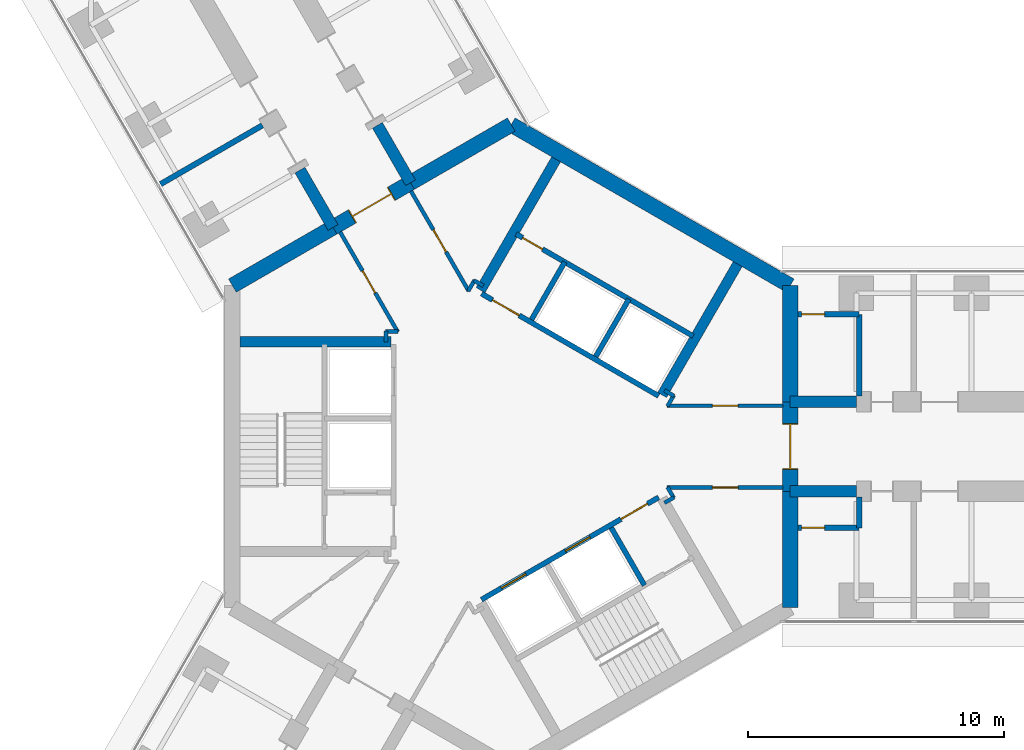
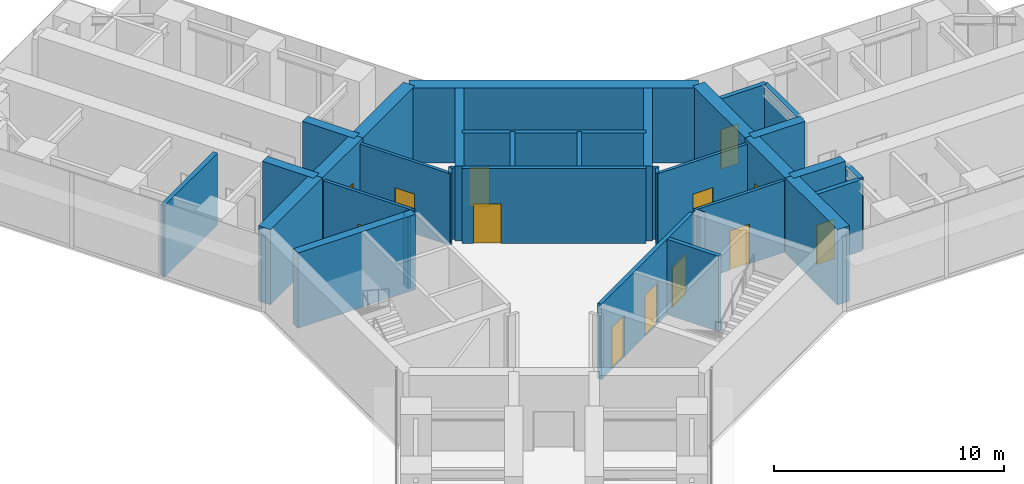
# One storey, part 16 of 21: 37 walls, 13 doors, 13 openings.
"""IFC4 building model written with IfcOpenShell, lengths in metres."""

from ifc_helpers import new_model, si_unit, direction, frame, frame_2d, origin, place, context, subcontext, project, spatial, rectangle, extrude, material, layer, layer_set, type_object, element, fill, save


model = new_model("IFC4")

# Units and contexts
model_context = context("Model", 3, precision=1e-05, world=origin(), true_north=direction((0.0, 1.0)))
body_context = subcontext(model_context, "Body", "Model", "MODEL_VIEW")
ifc_project = project(units=[si_unit("LENGTHUNIT", "METRE"), si_unit("AREAUNIT", "SQUARE_METRE"), si_unit("VOLUMEUNIT", "CUBIC_METRE"), si_unit("PLANEANGLEUNIT", "RADIAN"), si_unit("MASSUNIT", "GRAM", prefix="KILO")], contexts=[model_context])

# Site, building, storey
site_placement = place(None, origin())
site = spatial("IfcSite", under=ifc_project, at=site_placement, CompositionType="ELEMENT")
building_placement = place(site_placement, origin())
building = spatial("IfcBuilding", under=site, at=building_placement, Name="Upepo Twin Towers", CompositionType="ELEMENT")
storey_placement = place(building_placement, frame((0.0, 0.0, 109.5)))
storey = spatial("IfcBuildingStorey", under=building, at=storey_placement, Name="L26", CompositionType="ELEMENT", Elevation=109.5)

# Wall, opening, door
ifc_material_1 = material(Name="Concrete blockwork, plastered both faces", Category="masonry")
ifc_layer_1 = layer(ifc_material_1, 0.215087890625)
ifc_layer_set_1 = layer_set([ifc_layer_1], Name="Blockwork partition 215")
wall_type_1 = type_object("IfcWallType", Name="Blockwork partition 215", PredefinedType="PARTITIONING", material=ifc_layer_set_1)
wall_1_placement = place(storey_placement, frame((11.2080078125, 5.175048828125, 0.0), z_axis=(0.0, 0.0, 1.0), x_axis=(1.0, 0.0, 0.0)))
wall_1 = element("IfcWall", 1, at=wall_1_placement, inside=storey, type_object=wall_type_1, Name="T1 WC bay partition AL at 11.21", PredefinedType="PARTITIONING", context=body_context, shape_type="SweptSolid", body=[
    extrude(rectangle(XDim=2.39990234375, YDim=0.215087890625, at=frame_2d((1.199951171875, 0.0))), origin(), (0.0, 0.0, 1.0), 3.800048828125),
])
opening_1_placement = place(wall_1_placement, frame((0.14990234375, 0.0, 0.0)))
opening_1 = element("IfcOpeningElement", 2, at=opening_1_placement, cuts=wall_1, Name="Opening D14", PredefinedType="OPENING", context=body_context, shape_type="SweptSolid", body=[
    extrude(rectangle(XDim=0.89990234375, YDim=2.10009765625, at=frame_2d((0.449951171875, 1.050048828125))), frame((0.0, 0.117431640625, 0.0), z_axis=(0.0, -1.0, 0.0), x_axis=(1.0, 0.0, 0.0)), (0.0, 0.0, 1.0), 0.235107421875),
])
ifc_material_2 = material(Name="Timber doorset", Category="wood")
door_type_1 = type_object("IfcDoorType", Name="Office door 900 FD30", OperationType="SINGLE_SWING_LEFT", PredefinedType="DOOR", material=ifc_material_2)
door_1_placement = place(opening_1_placement, origin())
door_1 = element("IfcDoor", 3, at=door_1_placement, inside=storey, type_object=door_type_1, Name="T1 L26 WC bay inner room door", OperationType="SINGLE_SWING_LEFT", OverallHeight=2.10009765625, OverallWidth=0.89990234375, PredefinedType="DOOR", context=body_context, shape_type="SweptSolid", body=[
    extrude(rectangle(XDim=0.89990234375, YDim=2.10009765625, at=frame_2d((0.449951171875, 1.050048828125))), frame((0.0, 0.02490234375, 0.0), z_axis=(0.0, -1.0, 0.0), x_axis=(1.0, 0.0, 0.0)), (0.0, 0.0, 1.0), 0.050048828125),
])
fill(opening_1, door_1)

# Wall
wall_2_placement = place(storey_placement, frame((13.60791015625, 1.97509765625, 0.0), z_axis=(0.0, 0.0, 1.0), x_axis=(0.0, 1.0, 0.0)))
element("IfcWall", 4, at=wall_2_placement, inside=storey, type_object=wall_type_1, Name="T1 WC bay partition AL end at 13.61", PredefinedType="PARTITIONING", context=body_context, shape_type="SweptSolid", body=[
    extrude(rectangle(XDim=3.199951171875, YDim=0.215087890625, at=frame_2d((1.60009765625, 0.0))), origin(), (0.0, 0.0, 1.0), 3.800048828125),
])

# Wall, opening, door
wall_3_placement = place(storey_placement, frame((11.2080078125, -3.175048828125, 0.0), z_axis=(0.0, 0.0, 1.0), x_axis=(1.0, 0.0, 0.0)))
wall_3 = element("IfcWall", 5, at=wall_3_placement, inside=storey, type_object=wall_type_1, Name="T1 WC bay partition AR at 11.21", PredefinedType="PARTITIONING", context=body_context, shape_type="SweptSolid", body=[
    extrude(rectangle(XDim=2.39990234375, YDim=0.215087890625, at=frame_2d((1.199951171875, 0.0))), origin(), (0.0, 0.0, 1.0), 3.800048828125),
])
opening_2_placement = place(wall_3_placement, frame((0.14990234375, 0.0, 0.0)))
opening_2 = element("IfcOpeningElement", 6, at=opening_2_placement, cuts=wall_3, Name="Opening D14", PredefinedType="OPENING", context=body_context, shape_type="SweptSolid", body=[
    extrude(rectangle(XDim=0.89990234375, YDim=2.10009765625, at=frame_2d((0.449951171875, 1.050048828125))), frame((0.0, 0.117431640625, 0.0), z_axis=(0.0, -1.0, 0.0), x_axis=(1.0, 0.0, 0.0)), (0.0, 0.0, 1.0), 0.235107421875),
])
door_2_placement = place(opening_2_placement, origin())
door_2 = element("IfcDoor", 7, at=door_2_placement, inside=storey, type_object=door_type_1, Name="T1 L26 WC bay inner room door", OperationType="SINGLE_SWING_LEFT", OverallHeight=2.10009765625, OverallWidth=0.89990234375, PredefinedType="DOOR", context=body_context, shape_type="SweptSolid", body=[
    extrude(rectangle(XDim=0.89990234375, YDim=2.10009765625, at=frame_2d((0.449951171875, 1.050048828125))), frame((0.0, 0.02490234375, 0.0), z_axis=(0.0, -1.0, 0.0), x_axis=(1.0, 0.0, 0.0)), (0.0, 0.0, 1.0), 0.050048828125),
])
fill(opening_2, door_2)

# Walls
wall_4_placement = place(storey_placement, frame((13.60791015625, -1.97509765625, 0.0), z_axis=(0.0, 0.0, 1.0), x_axis=(0.0, -1.0, 0.0)))
element("IfcWall", 8, at=wall_4_placement, inside=storey, type_object=wall_type_1, Name="T1 WC bay partition AR end at 13.61", PredefinedType="PARTITIONING", context=body_context, shape_type="SweptSolid", body=[
    extrude(rectangle(XDim=1.199951171875, YDim=0.215087890625, at=frame_2d((0.60009765625, 0.0))), origin(), (0.0, 0.0, 1.0), 3.800048828125),
])
wall_5_placement = place(storey_placement, frame((-9.737060546875, 12.56494140625, 0.0), z_axis=(0.0, 0.0, 1.0), x_axis=(-0.866016770315, -0.500014953309, 0.0)))
element("IfcWall", 9, at=wall_5_placement, inside=storey, type_object=wall_type_1, Name="T1 partition BL at 15.75", PredefinedType="PARTITIONING", context=body_context, shape_type="SweptSolid", body=[
    extrude(rectangle(XDim=4.599853515625, YDim=0.215087890625, at=frame_2d((2.2998046875, 0.0))), origin(), (0.0, 0.0, 1.0), 3.800048828125),
])
ifc_material_3 = material(Name="Concrete C60/75", Category="concrete")
ifc_layer_2 = layer(ifc_material_3, 0.449951171875)
ifc_layer_set_2 = layer_set([ifc_layer_2], Name="Concrete C60/75")
wall_type_2 = type_object("IfcWallType", Name="Buttress wall 450 RC", PredefinedType="SHEAR", material=ifc_layer_set_2)
for number, where, z_axis, x_axis, name in (
    (10, (10.908447265625, 1.75, 0.0), (0.0, 0.0, 1.0), (1.0, 0.0, 0.0), "T1 wing A buttress wall L"),
    (11, (10.908447265625, -1.75, 0.0), (0.0, 0.0, 1.0), (1.0, 0.0, 0.0), "T1 wing A buttress wall R"),
):
    element("IfcWall", number, at=place(storey_placement, frame(where, z_axis=z_axis, x_axis=x_axis)), inside=storey, type_object=wall_type_2, Name=name, PredefinedType="SHEAR", context=body_context, shape_type="SweptSolid", body=[
        extrude(rectangle(XDim=2.591552734375, YDim=0.449951171875, at=frame_2d((1.2958984375, 0.0))), origin(), (0.0, 0.0, 1.0), 4.0),
    ])
for number, where, z_axis, x_axis, name in (
    (12, (-6.9697265625, 8.57177734375, 0.0), (0.0, 0.0, 1.0), (-0.499988811324, 0.866031863473, 0.0), "T1 wing B buttress wall L"),
    (13, (-3.938720703125, 10.32177734375, 0.0), (0.0, 0.0, 1.0), (-0.499918158782, 0.866072649678, 0.0), "T1 wing B buttress wall R"),
):
    element("IfcWall", number, at=place(storey_placement, frame(where, z_axis=z_axis, x_axis=x_axis)), inside=storey, type_object=wall_type_2, Name=name, PredefinedType="SHEAR", context=body_context, shape_type="SweptSolid", body=[
        extrude(rectangle(XDim=2.591796875, YDim=0.449951171875, at=frame_2d((1.2958984375, 0.0))), origin(), (0.0, 0.0, 1.0), 4.0),
    ])
ifc_material_4 = material(Name="Concrete C60/75", Category="concrete")
ifc_layer_3 = layer(ifc_material_4, 0.60009765625)
ifc_layer_set_3 = layer_set([ifc_layer_3], Name="Concrete C60/75")
wall_type_3 = type_object("IfcWallType", Name="Core wall 600 RC", PredefinedType="SHEAR", material=ifc_layer_set_3)
wall_6_placement = place(storey_placement, frame((10.908447265625, -6.2978515625, 0.0), z_axis=(0.0, 0.0, 1.0), x_axis=(0.0, 1.0, 0.0)))
element("IfcWall", 14, at=wall_6_placement, inside=storey, type_object=wall_type_3, Name="T1 core wall 000 R", PredefinedType="SHEAR", context=body_context, shape_type="SweptSolid", body=[
    extrude(rectangle(XDim=4.5478515625, YDim=0.60009765625, at=frame_2d((2.27392578125, 0.0))), origin(), (0.0, 0.0, 1.0), 4.0),
])

# Wall, opening, door
wall_7_placement = place(storey_placement, frame((10.908447265625, -1.75, 0.0), z_axis=(0.0, 0.0, 1.0), x_axis=(0.0, 1.0, 0.0)))
wall_7 = element("IfcWall", 15, at=wall_7_placement, inside=storey, type_object=wall_type_3, Name="T1 core wall 000", PredefinedType="SHEAR", context=body_context, shape_type="SweptSolid", body=[
    extrude(rectangle(XDim=3.5, YDim=0.60009765625, at=frame_2d((1.75, 0.0))), origin(), (0.0, 0.0, 1.0), 4.0),
])
opening_3_placement = place(wall_7_placement, frame((0.85009765625, 0.0, 0.0)))
opening_3 = element("IfcOpeningElement", 16, at=opening_3_placement, cuts=wall_7, Name="Opening D2", PredefinedType="OPENING", context=body_context, shape_type="SweptSolid", body=[
    extrude(rectangle(XDim=1.800048828125, YDim=2.10009765625, at=frame_2d((0.89990234375, 1.050048828125))), frame((0.0, 0.31005859375, 0.0), z_axis=(0.0, -1.0, 0.0), x_axis=(1.0, 0.0, 0.0)), (0.0, 0.0, 1.0), 0.6201171875),
])
ifc_material_5 = material(Name="Timber doorset", Category="wood")
door_type_2 = type_object("IfcDoorType", Name="Corridor double door 1800 FD60", OperationType="DOUBLE_DOOR_DOUBLE_SWING", PredefinedType="DOOR", material=ifc_material_5)
door_3_placement = place(opening_3_placement, origin())
door_3 = element("IfcDoor", 17, at=door_3_placement, inside=storey, type_object=door_type_2, Name="T1 L26 wing A corridor door", OperationType="DOUBLE_DOOR_DOUBLE_SWING", OverallHeight=2.10009765625, OverallWidth=1.800048828125, PredefinedType="DOOR", context=body_context, shape_type="SweptSolid", body=[
    extrude(rectangle(XDim=1.720048828125, YDim=2.06009765625, at=frame_2d((0.89990234375, 1.030029296875))), frame((0.0, 0.02490234375, 0.0), z_axis=(0.0, -1.0, 0.0), x_axis=(1.0, 0.0, 0.0)), (0.0, 0.0, 1.0), 0.050048828125),
    extrude(rectangle(XDim=0.04, YDim=2.10009765625, at=frame_2d((0.02001953125, 1.050048828125))), frame((0.0, 0.2998046875, 0.0), z_axis=(0.0, -1.0, 0.0), x_axis=(1.0, 0.0, 0.0)), (0.0, 0.0, 1.0), 0.599609375),
    extrude(rectangle(XDim=0.04, YDim=2.10009765625, at=frame_2d((1.780029296875, 1.050048828125))), frame((0.0, 0.2998046875, 0.0), z_axis=(0.0, -1.0, 0.0), x_axis=(1.0, 0.0, 0.0)), (0.0, 0.0, 1.0), 0.599609375),
    extrude(rectangle(XDim=1.720048828125, YDim=0.04, at=frame_2d((0.89990234375, 2.080078125))), frame((0.0, 0.2998046875, 0.0), z_axis=(0.0, -1.0, 0.0), x_axis=(1.0, 0.0, 0.0)), (0.0, 0.0, 1.0), 0.599609375),
])
fill(opening_3, door_3)

# Walls
wall_8_placement = place(storey_placement, frame((10.908447265625, 1.75, 0.0), z_axis=(0.0, 0.0, 1.0), x_axis=(0.0, 1.0, 0.0)))
element("IfcWall", 18, at=wall_8_placement, inside=storey, type_object=wall_type_3, Name="T1 core wall 000 L", PredefinedType="SHEAR", context=body_context, shape_type="SweptSolid", body=[
    extrude(rectangle(XDim=4.5478515625, YDim=0.60009765625, at=frame_2d((2.27392578125, 0.0))), origin(), (0.0, 0.0, 1.0), 4.0),
])
wall_9_placement = place(storey_placement, frame((10.908447265625, 6.2978515625, 0.0), z_axis=(0.0, 0.0, 1.0), x_axis=(-0.866021940709, 0.500005998175, 0.0)))
element("IfcWall", 19, at=wall_9_placement, inside=storey, type_object=wall_type_3, Name="T1 core wall 060", PredefinedType="SHEAR", context=body_context, shape_type="SweptSolid", body=[
    extrude(rectangle(XDim=12.595947265625, YDim=0.60009765625, at=frame_2d((6.2978515625, 0.0))), origin(), (0.0, 0.0, 1.0), 4.0),
])
wall_10_placement = place(storey_placement, frame((0.0, 12.595947265625, 0.0), z_axis=(0.0, 0.0, 1.0), x_axis=(-0.866011268655, -0.500024481964, 0.0)))
element("IfcWall", 20, at=wall_10_placement, inside=storey, type_object=wall_type_3, Name="T1 core wall 120 R", PredefinedType="SHEAR", context=body_context, shape_type="SweptSolid", body=[
    extrude(rectangle(XDim=4.548095703125, YDim=0.60009765625, at=frame_2d((2.27392578125, 0.0))), origin(), (0.0, 0.0, 1.0), 4.0),
])

# Wall, opening, door
wall_11_placement = place(storey_placement, frame((-3.938720703125, 10.32177734375, 0.0), z_axis=(0.0, 0.0, 1.0), x_axis=(-0.866019471182, -0.500010275428, 0.0)))
wall_11 = element("IfcWall", 21, at=wall_11_placement, inside=storey, type_object=wall_type_3, Name="T1 core wall 120", PredefinedType="SHEAR", context=body_context, shape_type="SweptSolid", body=[
    extrude(rectangle(XDim=3.5, YDim=0.60009765625, at=frame_2d((1.75, 0.0))), origin(), (0.0, 0.0, 1.0), 4.0),
])
opening_4_placement = place(wall_11_placement, frame((0.85009765625, 0.0, 0.0)))
opening_4 = element("IfcOpeningElement", 22, at=opening_4_placement, cuts=wall_11, Name="Opening D2", PredefinedType="OPENING", context=body_context, shape_type="SweptSolid", body=[
    extrude(rectangle(XDim=1.800048828125, YDim=2.10009765625, at=frame_2d((0.89990234375, 1.050048828125))), frame((0.0, 0.31005859375, 0.0), z_axis=(0.0, -1.0, 0.0), x_axis=(1.0, 0.0, 0.0)), (0.0, 0.0, 1.0), 0.6201171875),
])
door_4_placement = place(opening_4_placement, origin())
door_4 = element("IfcDoor", 23, at=door_4_placement, inside=storey, type_object=door_type_2, Name="T1 L26 wing B corridor door", OperationType="DOUBLE_DOOR_DOUBLE_SWING", OverallHeight=2.10009765625, OverallWidth=1.800048828125, PredefinedType="DOOR", context=body_context, shape_type="SweptSolid", body=[
    extrude(rectangle(XDim=1.720048828125, YDim=2.06009765625, at=frame_2d((0.89990234375, 1.030029296875))), frame((0.0, 0.02490234375, 0.0), z_axis=(0.0, -1.0, 0.0), x_axis=(1.0, 0.0, 0.0)), (0.0, 0.0, 1.0), 0.050048828125),
    extrude(rectangle(XDim=0.04, YDim=2.10009765625, at=frame_2d((0.02001953125, 1.050048828125))), frame((0.0, 0.2998046875, 0.0), z_axis=(0.0, -1.0, 0.0), x_axis=(1.0, 0.0, 0.0)), (0.0, 0.0, 1.0), 0.599609375),
    extrude(rectangle(XDim=0.04, YDim=2.10009765625, at=frame_2d((1.780029296875, 1.050048828125))), frame((0.0, 0.2998046875, 0.0), z_axis=(0.0, -1.0, 0.0), x_axis=(1.0, 0.0, 0.0)), (0.0, 0.0, 1.0), 0.599609375),
    extrude(rectangle(XDim=1.720048828125, YDim=0.04, at=frame_2d((0.89990234375, 2.080078125))), frame((0.0, 0.2998046875, 0.0), z_axis=(0.0, -1.0, 0.0), x_axis=(1.0, 0.0, 0.0)), (0.0, 0.0, 1.0), 0.599609375),
])
fill(opening_4, door_4)

# Wall
wall_12_placement = place(storey_placement, frame((-6.9697265625, 8.57177734375, 0.0), z_axis=(0.0, 0.0, 1.0), x_axis=(-0.866034513004, -0.499984222037, 0.0)))
element("IfcWall", 24, at=wall_12_placement, inside=storey, type_object=wall_type_3, Name="T1 core wall 120 L", PredefinedType="SHEAR", context=body_context, shape_type="SweptSolid", body=[
    extrude(rectangle(XDim=4.548095703125, YDim=0.60009765625, at=frame_2d((2.27392578125, 0.0))), origin(), (0.0, 0.0, 1.0), 4.0),
])

# Wall, opening, door
ifc_material_6 = material(Name="Concrete C40/50", Category="concrete")
ifc_layer_4 = layer(ifc_material_6, 0.199951171875)
ifc_layer_set_4 = layer_set([ifc_layer_4], Name="Concrete C40/50")
wall_type_4 = type_object("IfcWallType", Name="Shaft wall 200 RC", PredefinedType="SHEAR", material=ifc_layer_set_4)
wall_13_placement = place(storey_placement, frame((5.76416015625, 1.983642578125, 0.0), z_axis=(0.0, 0.0, 1.0), x_axis=(-0.866026010844, 0.49999894854, 0.0)))
wall_13 = element("IfcWall", 25, at=wall_13_placement, inside=storey, type_object=wall_type_4, Name="T1 core W60 front wall", PredefinedType="SHEAR", context=body_context, shape_type="SweptSolid", body=[
    extrude(rectangle(XDim=8.0, YDim=0.199951171875, at=frame_2d((4.0, 0.0))), origin(), (0.0, 0.0, 1.0), 4.0),
])
opening_5_placement = place(wall_13_placement, frame((6.300048828125, 0.0, 0.0)))
opening_5 = element("IfcOpeningElement", 26, at=opening_5_placement, cuts=wall_13, Name="Opening D4", PredefinedType="OPENING", context=body_context, shape_type="SweptSolid", body=[
    extrude(rectangle(XDim=1.199951171875, YDim=2.10009765625, at=frame_2d((0.60009765625, 1.050048828125))), frame((0.0, 0.10986328125, 0.0), z_axis=(0.0, -1.0, 0.0), x_axis=(1.0, 0.0, 0.0)), (0.0, 0.0, 1.0), 0.219970703125),
])
ifc_material_7 = material(Name="Timber doorset", Category="wood")
door_type_3 = type_object("IfcDoorType", Name="Lobby door 1200 FD60", OperationType="SINGLE_SWING_LEFT", PredefinedType="DOOR", material=ifc_material_7)
door_5_placement = place(opening_5_placement, origin())
door_5 = element("IfcDoor", 27, at=door_5_placement, inside=storey, type_object=door_type_3, Name="T1 L26 W60 lobby door", OperationType="SINGLE_SWING_RIGHT", OverallHeight=2.10009765625, OverallWidth=1.199951171875, PredefinedType="DOOR", context=body_context, shape_type="SweptSolid", body=[
    extrude(rectangle(XDim=1.199951171875, YDim=2.10009765625, at=frame_2d((0.60009765625, 1.050048828125))), frame((0.0, 0.02490234375, 0.0), z_axis=(0.0, -1.0, 0.0), x_axis=(1.0, 0.0, 0.0)), (0.0, 0.0, 1.0), 0.050048828125),
])
fill(opening_5, door_5)

# Walls
for number, where, z_axis, x_axis, name in (
    (28, (3.302734375, 3.520263671875, 0.0), (0.0, 0.0, 1.0), (0.499936506574, 0.866062058628, 0.0), "T1 core W60 shaft divider"),
    (29, (0.791259765625, 4.97021484375, 0.0), (0.0, 0.0, 1.0), (0.499936506574, 0.866062058628, 0.0), "T1 core W60 lobby wall"),
):
    element("IfcWall", number, at=place(storey_placement, frame(where, z_axis=z_axis, x_axis=x_axis)), inside=storey, type_object=wall_type_4, Name=name, PredefinedType="SHEAR", context=body_context, shape_type="SweptSolid", body=[
        extrude(rectangle(XDim=2.599853515625, YDim=0.199951171875, at=frame_2d((1.2998046875, 0.0))), origin(), (0.0, 0.0, 1.0), 4.0),
    ])

# Wall, opening, door
wall_14_placement = place(storey_placement, frame((7.114013671875, 4.322021484375, 0.0), z_axis=(0.0, 0.0, 1.0), x_axis=(-0.866026010844, 0.49999894854, 0.0)))
wall_14 = element("IfcWall", 30, at=wall_14_placement, inside=storey, type_object=wall_type_4, Name="T1 core W60 stair wall", PredefinedType="SHEAR", context=body_context, shape_type="SweptSolid", body=[
    extrude(rectangle(XDim=8.0, YDim=0.199951171875, at=frame_2d((4.0, 0.0))), origin(), (0.0, 0.0, 1.0), 4.0),
])
opening_6_placement = place(wall_14_placement, frame((6.800048828125, 0.0, 0.0)))
opening_6 = element("IfcOpeningElement", 31, at=opening_6_placement, cuts=wall_14, Name="Opening D9", PredefinedType="OPENING", context=body_context, shape_type="SweptSolid", body=[
    extrude(rectangle(XDim=0.89990234375, YDim=2.10009765625, at=frame_2d((0.449951171875, 1.050048828125))), frame((0.0, 0.10986328125, 0.0), z_axis=(0.0, -1.0, 0.0), x_axis=(1.0, 0.0, 0.0)), (0.0, 0.0, 1.0), 0.219970703125),
])
ifc_material_8 = material(Name="Timber doorset", Category="wood")
door_type_4 = type_object("IfcDoorType", Name="Riser door 900 FD60", OperationType="SINGLE_SWING_LEFT", PredefinedType="DOOR", material=ifc_material_8)
door_6_placement = place(opening_6_placement, origin())
door_6 = element("IfcDoor", 32, at=door_6_placement, inside=storey, type_object=door_type_4, Name="T1 L26 riser door", OperationType="SINGLE_SWING_RIGHT", OverallHeight=2.10009765625, OverallWidth=0.89990234375, PredefinedType="DOOR", context=body_context, shape_type="SweptSolid", body=[
    extrude(rectangle(XDim=0.89990234375, YDim=2.10009765625, at=frame_2d((0.449951171875, 1.050048828125))), frame((0.0, 0.02490234375, 0.0), z_axis=(0.0, -1.0, 0.0), x_axis=(1.0, 0.0, 0.0)), (0.0, 0.0, 1.0), 0.050048828125),
])
fill(opening_6, door_6)

# Wall, openings, doors
wall_15_placement = place(storey_placement, frame((-1.1640625, -5.983642578125, 0.0), z_axis=(0.0, 0.0, 1.0), x_axis=(0.866026010844, 0.49999894854, 0.0)))
wall_15 = element("IfcWall", 33, at=wall_15_placement, inside=storey, type_object=wall_type_4, Name="T1 core W300 front wall", PredefinedType="SHEAR", context=body_context, shape_type="SweptSolid", body=[
    extrude(rectangle(XDim=8.0, YDim=0.199951171875, at=frame_2d((4.0, 0.0))), origin(), (0.0, 0.0, 1.0), 4.0),
])
opening_7_placement = place(wall_15_placement, frame((6.300048828125, 0.0, 0.0)))
opening_7 = element("IfcOpeningElement", 34, at=opening_7_placement, cuts=wall_15, Name="Opening D4", PredefinedType="OPENING", context=body_context, shape_type="SweptSolid", body=[
    extrude(rectangle(XDim=1.199951171875, YDim=2.10009765625, at=frame_2d((0.60009765625, 1.050048828125))), frame((0.0, 0.10986328125, 0.0), z_axis=(0.0, -1.0, 0.0), x_axis=(1.0, 0.0, 0.0)), (0.0, 0.0, 1.0), 0.219970703125),
])
opening_8_placement = place(wall_15_placement, frame((0.89990234375, 0.0, 0.0)))
opening_8 = element("IfcOpeningElement", 35, at=opening_8_placement, cuts=wall_15, Name="Opening LD1", PredefinedType="OPENING", context=body_context, shape_type="SweptSolid", body=[
    extrude(rectangle(XDim=1.10009765625, YDim=2.199951171875, at=frame_2d((0.550048828125, 1.10009765625))), frame((0.0, 0.10986328125, 0.0), z_axis=(0.0, -1.0, 0.0), x_axis=(1.0, 0.0, 0.0)), (0.0, 0.0, 1.0), 0.219970703125),
])
opening_9_placement = place(wall_15_placement, frame((3.800048828125, 0.0, 0.0)))
opening_9 = element("IfcOpeningElement", 36, at=opening_9_placement, cuts=wall_15, Name="Opening LD1", PredefinedType="OPENING", context=body_context, shape_type="SweptSolid", body=[
    extrude(rectangle(XDim=1.10009765625, YDim=2.199951171875, at=frame_2d((0.550048828125, 1.10009765625))), frame((0.0, 0.10986328125, 0.0), z_axis=(0.0, -1.0, 0.0), x_axis=(1.0, 0.0, 0.0)), (0.0, 0.0, 1.0), 0.219970703125),
])
ifc_material_9 = material(Name="Steel doorset", Category="steel")
door_type_5 = type_object("IfcDoorType", Name="Lift landing door 1100", OperationType="DOUBLE_DOOR_SLIDING", PredefinedType="DOOR", material=ifc_material_9)
door_7_placement = place(opening_8_placement, origin())
door_7 = element("IfcDoor", 37, at=door_7_placement, inside=storey, type_object=door_type_5, Name="T1 L26 lift ML1 landing door", OperationType="DOUBLE_DOOR_SLIDING", OverallHeight=2.199951171875, OverallWidth=1.10009765625, PredefinedType="DOOR", context=body_context, shape_type="SweptSolid", body=[
    extrude(rectangle(XDim=1.10009765625, YDim=2.199951171875, at=frame_2d((0.550048828125, 1.10009765625))), frame((0.0, 0.02490234375, 0.0), z_axis=(0.0, -1.0, 0.0), x_axis=(1.0, 0.0, 0.0)), (0.0, 0.0, 1.0), 0.050048828125),
])
fill(opening_8, door_7)
door_8_placement = place(opening_9_placement, origin())
door_8 = element("IfcDoor", 38, at=door_8_placement, inside=storey, type_object=door_type_5, Name="T1 L26 lift ML2 landing door", OperationType="DOUBLE_DOOR_SLIDING", OverallHeight=2.199951171875, OverallWidth=1.10009765625, PredefinedType="DOOR", context=body_context, shape_type="SweptSolid", body=[
    extrude(rectangle(XDim=1.10009765625, YDim=2.199951171875, at=frame_2d((0.550048828125, 1.10009765625))), frame((0.0, 0.02490234375, 0.0), z_axis=(0.0, -1.0, 0.0), x_axis=(1.0, 0.0, 0.0)), (0.0, 0.0, 1.0), 0.050048828125),
])
fill(opening_9, door_8)
door_9_placement = place(opening_7_placement, origin())
door_9 = element("IfcDoor", 39, at=door_9_placement, inside=storey, type_object=door_type_3, Name="T1 L26 W300 lobby door", OperationType="SINGLE_SWING_RIGHT", OverallHeight=2.10009765625, OverallWidth=1.199951171875, PredefinedType="DOOR", context=body_context, shape_type="SweptSolid", body=[
    extrude(rectangle(XDim=1.199951171875, YDim=2.10009765625, at=frame_2d((0.60009765625, 1.050048828125))), frame((0.0, 0.02490234375, 0.0), z_axis=(0.0, -1.0, 0.0), x_axis=(1.0, 0.0, 0.0)), (0.0, 0.0, 1.0), 0.050048828125),
])
fill(opening_7, door_9)

# Walls
wall_16_placement = place(storey_placement, frame((3.908935546875, -3.17041015625, 0.0), z_axis=(0.0, 0.0, 1.0), x_axis=(0.49997716683, -0.86603858612, 0.0)))
element("IfcWall", 40, at=wall_16_placement, inside=storey, type_object=wall_type_4, Name="T1 core W300 lobby wall", PredefinedType="SHEAR", context=body_context, shape_type="SweptSolid", body=[
    extrude(rectangle(XDim=2.599609375, YDim=0.199951171875, at=frame_2d((1.2998046875, 0.0))), origin(), (0.0, 0.0, 1.0), 4.0),
])
ifc_material_10 = material(Name="Concrete C40/50", Category="concrete")
ifc_layer_5 = layer(ifc_material_10, 0.39990234375)
ifc_layer_set_5 = layer_set([ifc_layer_5], Name="Concrete C40/50")
wall_type_5 = type_object("IfcWallType", Name="Shaft wall 400 RC", PredefinedType="SHEAR", material=ifc_layer_set_5)
wall_17_placement = place(storey_placement, frame((-1.20068359375, 6.120361328125, 0.0), z_axis=(0.0, 0.0, 1.0), x_axis=(0.49999668571, 0.866027317282, 0.0)))
element("IfcWall", 41, at=wall_17_placement, inside=storey, type_object=wall_type_5, Name="T1 core W60 side wall N", PredefinedType="SHEAR", context=body_context, shape_type="SweptSolid", body=[
    extrude(rectangle(XDim=5.908203125, YDim=0.39990234375, at=frame_2d((2.9541015625, 0.0))), origin(), (0.0, 0.0, 1.0), 4.0),
])
for number, where, z_axis, x_axis, name in (
    (42, (5.900634765625, 2.020263671875, 0.0), (0.0, 0.0, 1.0), (0.500027676417, 0.866009424208, 0.0), "T1 core W60 side wall S"),
    (43, (-4.699951171875, 4.10009765625, 0.0), (0.0, 0.0, 1.0), (-1.0, 0.0, 0.0), "T1 core W180 side wall S"),
):
    element("IfcWall", number, at=place(storey_placement, frame(where, z_axis=z_axis, x_axis=x_axis)), inside=storey, type_object=wall_type_5, Name=name, PredefinedType="SHEAR", context=body_context, shape_type="SweptSolid", body=[
        extrude(rectangle(XDim=5.908447265625, YDim=0.39990234375, at=frame_2d((2.9541015625, 0.0))), origin(), (0.0, 0.0, 1.0), 4.0),
    ])
ifc_material_11 = material(Name="Gypsum board on steel studs", Category="steel")
ifc_layer_6 = layer(ifc_material_11, 0.14990234375)
ifc_layer_set_6 = layer_set([ifc_layer_6], Name="Teaching partition 150 acoustic")
wall_type_6 = type_object("IfcWallType", Name="Teaching partition 150 acoustic", PredefinedType="PARTITIONING", material=ifc_layer_set_6)
for number, where, z_axis, x_axis, name in (
    (44, (6.364501953125, -1.9833984375, 0.0), (0.0, 0.0, 1.0), (-0.865892400268, -0.500230298122, 0.0), "T1 core room partition 1"),
    (45, (-4.89990234375, 4.090087890625, 0.0), (0.0, 0.0, 1.0), (0.0, 1.0, 0.0), "T1 core room partition 8"),
):
    element("IfcWall", number, at=place(storey_placement, frame(where, z_axis=z_axis, x_axis=x_axis)), inside=storey, type_object=wall_type_6, Name=name, PredefinedType="PARTITIONING", context=body_context, shape_type="SweptSolid", body=[
        extrude(rectangle(XDim=0.429931640625, YDim=0.14990234375, at=frame_2d((0.21484375, 0.0))), origin(), (0.0, 0.0, 1.0), 3.800048828125),
    ])
wall_18_placement = place(storey_placement, frame((-4.919921875, 4.5, 0.0), z_axis=(0.0, 0.0, 1.0), x_axis=(1.0, 0.0, 0.0)))
element("IfcWall", 46, at=wall_18_placement, inside=storey, type_object=wall_type_6, Name="T1 core room partition 9", PredefinedType="PARTITIONING", context=body_context, shape_type="SweptSolid", body=[
    extrude(rectangle(XDim=0.494384765625, YDim=0.14990234375, at=frame_2d((0.2470703125, 0.0))), origin(), (0.0, 0.0, 1.0), 3.800048828125),
])

# Wall, opening, door
wall_19_placement = place(storey_placement, frame((-4.435546875, 4.482666015625, 0.0), z_axis=(0.0, 0.0, 1.0), x_axis=(-0.500009315796, 0.86602002524, 0.0)))
wall_19 = element("IfcWall", 47, at=wall_19_placement, inside=storey, type_object=wall_type_6, Name="T1 core room partition 10", PredefinedType="PARTITIONING", context=body_context, shape_type="SweptSolid", body=[
    extrude(rectangle(XDim=4.5185546875, YDim=0.14990234375, at=frame_2d((2.25927734375, 0.0))), origin(), (0.0, 0.0, 1.0), 3.800048828125),
])
opening_10_placement = place(wall_19_placement, frame((1.769287109375, 0.0, 0.0)))
opening_10 = element("IfcOpeningElement", 48, at=opening_10_placement, cuts=wall_19, Name="Opening D1", PredefinedType="OPENING", context=body_context, shape_type="SweptSolid", body=[
    extrude(rectangle(XDim=1.0, YDim=2.10009765625, at=frame_2d((0.5, 1.050048828125))), frame((0.0, 0.0849609375, 0.0), z_axis=(0.0, -1.0, 0.0), x_axis=(1.0, 0.0, 0.0)), (0.0, 0.0, 1.0), 0.169921875),
])
ifc_material_12 = material(Name="Timber doorset", Category="wood")
door_type_6 = type_object("IfcDoorType", Name="Room door 1000 FD30", OperationType="SINGLE_SWING_LEFT", PredefinedType="DOOR", material=ifc_material_12)
door_10_placement = place(opening_10_placement, origin())
door_10 = element("IfcDoor", 49, at=door_10_placement, inside=storey, type_object=door_type_6, Name="T1 L26 core room door K7", OperationType="SINGLE_SWING_RIGHT", OverallHeight=2.10009765625, OverallWidth=1.0, PredefinedType="DOOR", context=body_context, shape_type="SweptSolid", body=[
    extrude(rectangle(XDim=1.0, YDim=2.10009765625, at=frame_2d((0.5, 1.050048828125))), frame((0.0, 0.02490234375, 0.0), z_axis=(0.0, -1.0, 0.0), x_axis=(1.0, 0.0, 0.0)), (0.0, 0.0, 1.0), 0.050048828125),
])
fill(opening_10, door_10)

wall_20_placement = place(storey_placement, frame((-3.923583984375, 9.99560546875, 0.0), z_axis=(0.0, 0.0, 1.0), x_axis=(0.500032713409, -0.866006515865, 0.0)))
wall_20 = element("IfcWall", 50, at=wall_20_placement, inside=storey, type_object=wall_type_6, Name="T1 core room partition 11", PredefinedType="PARTITIONING", context=body_context, shape_type="SweptSolid", body=[
    extrude(rectangle(XDim=4.518310546875, YDim=0.14990234375, at=frame_2d((2.25927734375, 0.0))), origin(), (0.0, 0.0, 1.0), 3.800048828125),
])
opening_11_placement = place(wall_20_placement, frame((1.7490234375, 0.0, 0.0)))
opening_11 = element("IfcOpeningElement", 51, at=opening_11_placement, cuts=wall_20, Name="Opening D1", PredefinedType="OPENING", context=body_context, shape_type="SweptSolid", body=[
    extrude(rectangle(XDim=1.0, YDim=2.10009765625, at=frame_2d((0.5, 1.050048828125))), frame((0.0, 0.0849609375, 0.0), z_axis=(0.0, -1.0, 0.0), x_axis=(1.0, 0.0, 0.0)), (0.0, 0.0, 1.0), 0.169921875),
])
door_11_placement = place(opening_11_placement, origin())
door_11 = element("IfcDoor", 52, at=door_11_placement, inside=storey, type_object=door_type_6, Name="T1 L26 core room door K6", OperationType="SINGLE_SWING_LEFT", OverallHeight=2.10009765625, OverallWidth=1.0, PredefinedType="DOOR", context=body_context, shape_type="SweptSolid", body=[
    extrude(rectangle(XDim=1.0, YDim=2.10009765625, at=frame_2d((0.5, 1.050048828125))), frame((0.0, 0.02490234375, 0.0), z_axis=(0.0, -1.0, 0.0), x_axis=(1.0, 0.0, 0.0)), (0.0, 0.0, 1.0), 0.050048828125),
])
fill(opening_11, door_11)

# Walls
wall_21_placement = place(storey_placement, frame((-1.684326171875, 6.082763671875, 0.0), z_axis=(0.0, 0.0, 1.0), x_axis=(0.50033519877, 0.865831790172, 0.0)))
element("IfcWall", 53, at=wall_21_placement, inside=storey, type_object=wall_type_6, Name="T1 core room partition 12", PredefinedType="PARTITIONING", context=body_context, shape_type="SweptSolid", body=[
    extrude(rectangle(XDim=0.494384765625, YDim=0.14990234375, at=frame_2d((0.2470703125, 0.0))), origin(), (0.0, 0.0, 1.0), 3.800048828125),
])
for number, where, z_axis, x_axis, name in (
    (54, (-1.46435546875, 6.50341796875, 0.0), (0.0, 0.0, 1.0), (0.866138304741, -0.499804398801, 0.0), "T1 core room partition 13"),
    (55, (5.9921875, 2.198486328125, 0.0), (0.0, 0.0, 1.0), (0.865892400268, -0.500230298122, 0.0), "T1 core room partition 14"),
):
    element("IfcWall", number, at=place(storey_placement, frame(where, z_axis=z_axis, x_axis=x_axis)), inside=storey, type_object=wall_type_6, Name=name, PredefinedType="PARTITIONING", context=body_context, shape_type="SweptSolid", body=[
        extrude(rectangle(XDim=0.429931640625, YDim=0.14990234375, at=frame_2d((0.21484375, 0.0))), origin(), (0.0, 0.0, 1.0), 3.800048828125),
    ])
wall_22_placement = place(storey_placement, frame((6.357177734375, 2.0107421875, 0.0), z_axis=(0.0, 0.0, 1.0), x_axis=(-0.50033519877, -0.865831790172, 0.0)))
element("IfcWall", 56, at=wall_22_placement, inside=storey, type_object=wall_type_6, Name="T1 core room partition 15", PredefinedType="PARTITIONING", context=body_context, shape_type="SweptSolid", body=[
    extrude(rectangle(XDim=0.494384765625, YDim=0.14990234375, at=frame_2d((0.2470703125, 0.0))), origin(), (0.0, 0.0, 1.0), 3.800048828125),
])

# Wall, opening, door
wall_23_placement = place(storey_placement, frame((6.099853515625, 1.60009765625, 0.0), z_axis=(0.0, 0.0, 1.0), x_axis=(1.0, 0.0, 0.0)))
wall_23 = element("IfcWall", 57, at=wall_23_placement, inside=storey, type_object=wall_type_6, Name="T1 core room partition 16", PredefinedType="PARTITIONING", context=body_context, shape_type="SweptSolid", body=[
    extrude(rectangle(XDim=4.5185546875, YDim=0.14990234375, at=frame_2d((2.25927734375, 0.0))), origin(), (0.0, 0.0, 1.0), 3.800048828125),
])
opening_12_placement = place(wall_23_placement, frame((1.769287109375, 0.0, 0.0)))
opening_12 = element("IfcOpeningElement", 58, at=opening_12_placement, cuts=wall_23, Name="Opening D1", PredefinedType="OPENING", context=body_context, shape_type="SweptSolid", body=[
    extrude(rectangle(XDim=1.0, YDim=2.10009765625, at=frame_2d((0.5, 1.050048828125))), frame((0.0, 0.0849609375, 0.0), z_axis=(0.0, -1.0, 0.0), x_axis=(1.0, 0.0, 0.0)), (0.0, 0.0, 1.0), 0.169921875),
])
door_12_placement = place(opening_12_placement, origin())
door_12 = element("IfcDoor", 59, at=door_12_placement, inside=storey, type_object=door_type_6, Name="T1 L26 core room door K5", OperationType="SINGLE_SWING_RIGHT", OverallHeight=2.10009765625, OverallWidth=1.0, PredefinedType="DOOR", context=body_context, shape_type="SweptSolid", body=[
    extrude(rectangle(XDim=1.0, YDim=2.10009765625, at=frame_2d((0.5, 1.050048828125))), frame((0.0, 0.02490234375, 0.0), z_axis=(0.0, -1.0, 0.0), x_axis=(1.0, 0.0, 0.0)), (0.0, 0.0, 1.0), 0.050048828125),
])
fill(opening_12, door_12)

wall_24_placement = place(storey_placement, frame((10.618408203125, -1.60009765625, 0.0), z_axis=(0.0, 0.0, 1.0), x_axis=(-1.0, 0.0, 0.0)))
wall_24 = element("IfcWall", 60, at=wall_24_placement, inside=storey, type_object=wall_type_6, Name="T1 core room partition 17", PredefinedType="PARTITIONING", context=body_context, shape_type="SweptSolid", body=[
    extrude(rectangle(XDim=4.5185546875, YDim=0.14990234375, at=frame_2d((2.25927734375, 0.0))), origin(), (0.0, 0.0, 1.0), 3.800048828125),
])
opening_13_placement = place(wall_24_placement, frame((1.7490234375, 0.0, 0.0)))
opening_13 = element("IfcOpeningElement", 61, at=opening_13_placement, cuts=wall_24, Name="Opening D1", PredefinedType="OPENING", context=body_context, shape_type="SweptSolid", body=[
    extrude(rectangle(XDim=1.0, YDim=2.10009765625, at=frame_2d((0.5, 1.050048828125))), frame((0.0, 0.0849609375, 0.0), z_axis=(0.0, -1.0, 0.0), x_axis=(1.0, 0.0, 0.0)), (0.0, 0.0, 1.0), 0.169921875),
])
door_13_placement = place(opening_13_placement, origin())
door_13 = element("IfcDoor", 62, at=door_13_placement, inside=storey, type_object=door_type_6, Name="T1 L26 core room door K4", OperationType="SINGLE_SWING_LEFT", OverallHeight=2.10009765625, OverallWidth=1.0, PredefinedType="DOOR", context=body_context, shape_type="SweptSolid", body=[
    extrude(rectangle(XDim=1.0, YDim=2.10009765625, at=frame_2d((0.5, 1.050048828125))), frame((0.0, 0.02490234375, 0.0), z_axis=(0.0, -1.0, 0.0), x_axis=(1.0, 0.0, 0.0)), (0.0, 0.0, 1.0), 0.050048828125),
])
fill(opening_13, door_13)

# Wall
wall_25_placement = place(storey_placement, frame((6.10986328125, -1.582763671875, 0.0), z_axis=(0.0, 0.0, 1.0), x_axis=(0.50033519877, -0.865831790172, 0.0)))
element("IfcWall", 63, at=wall_25_placement, inside=storey, type_object=wall_type_6, Name="T1 core room partition 18", PredefinedType="PARTITIONING", context=body_context, shape_type="SweptSolid", body=[
    extrude(rectangle(XDim=0.494384765625, YDim=0.14990234375, at=frame_2d((0.2470703125, 0.0))), origin(), (0.0, 0.0, 1.0), 3.800048828125),
])

save(model, "model.ifc")
